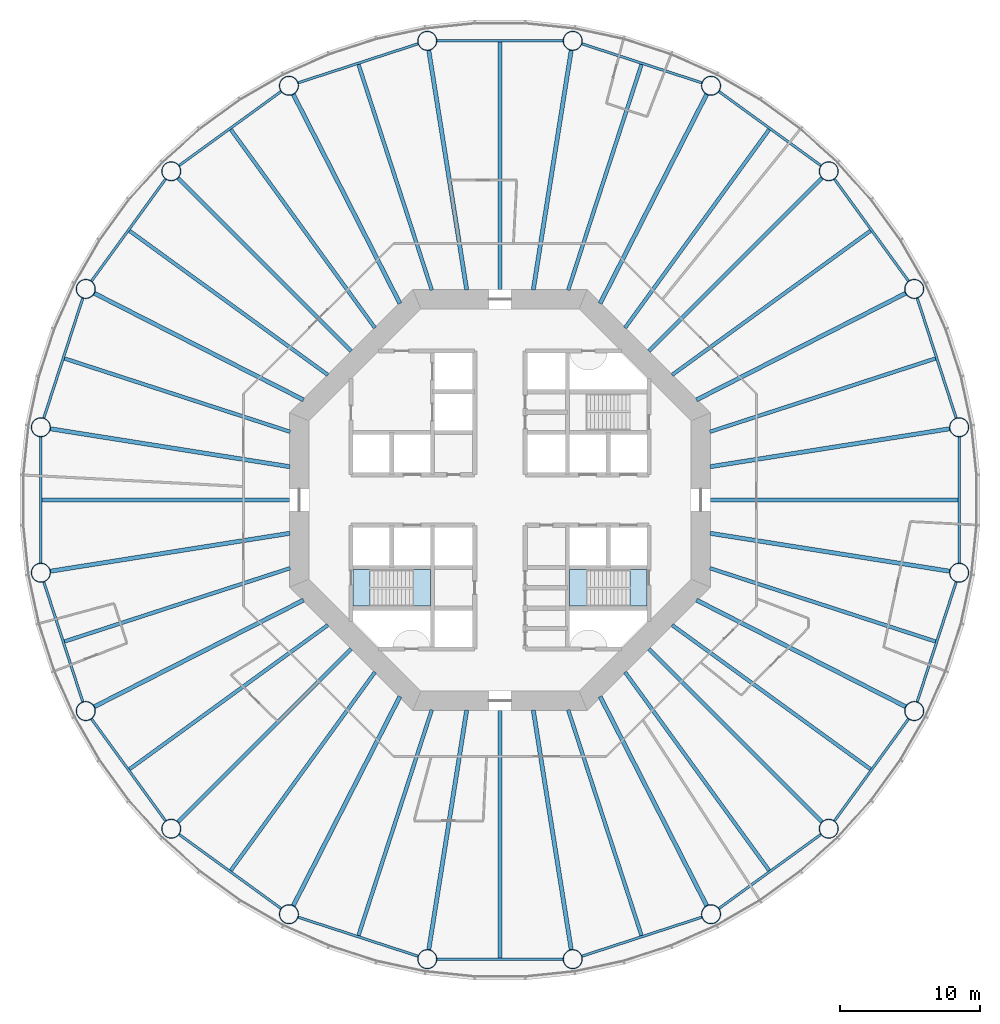
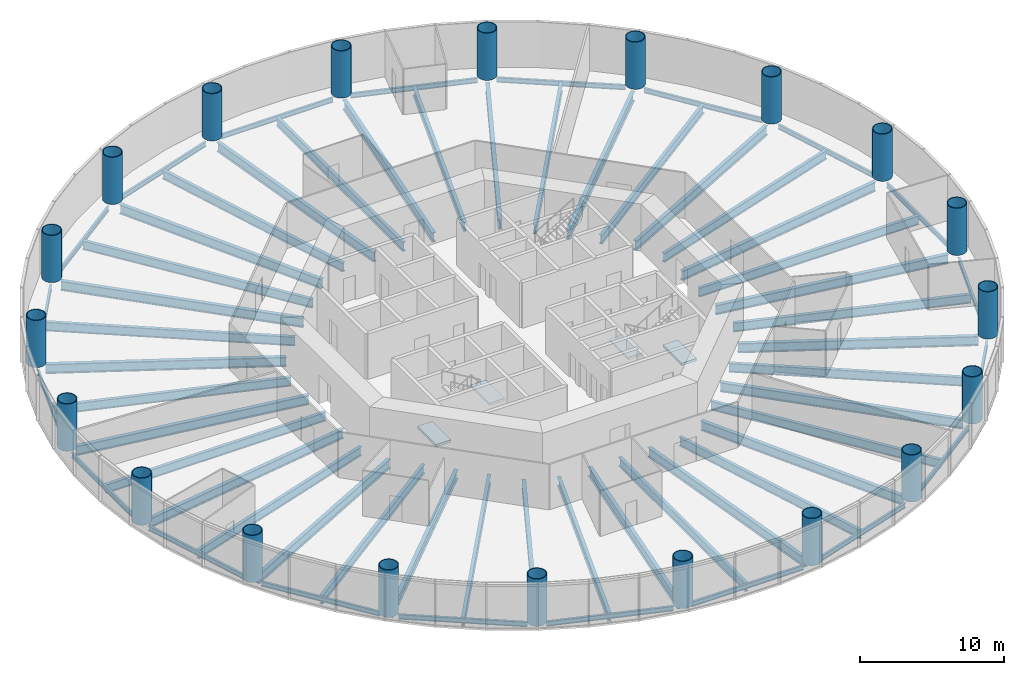
# One storey, part 1 of 13: 60 beams, 20 columns, 4 slabs, 2 elements without a shape of their own.
"""IFC4 building model written with IfcOpenShell, lengths in metres."""

from ifc_helpers import new_model, si_unit, direction, frame, origin, origin_2d, place, context, subcontext, project, spatial, polyline, circle, hollow_circle, i_section, outline, extrude, material, layer, layer_set, material_profile, profile_set, type_object, element, aggregate, save


model = new_model("IFC4")

# Units and contexts
model_context = context("Model", 3, precision=1e-05, world=origin(), true_north=direction((0.0, 1.0)))
body_context = subcontext(model_context, "Body", "Model", "MODEL_VIEW")
ifc_project = project(units=[si_unit("LENGTHUNIT", "METRE"), si_unit("AREAUNIT", "SQUARE_METRE"), si_unit("VOLUMEUNIT", "CUBIC_METRE"), si_unit("PLANEANGLEUNIT", "RADIAN"), si_unit("MASSUNIT", "GRAM", prefix="KILO")], contexts=[model_context])

# Site, building, storey
site_placement = place(None, origin())
site = spatial("IfcSite", under=ifc_project, at=site_placement, CompositionType="ELEMENT")
building_placement = place(site_placement, origin())
building = spatial("IfcBuilding", under=site, at=building_placement, Name="Entoto Ring Tower", CompositionType="ELEMENT")
storey_placement = place(building_placement, frame((0.0, 0.0, 46.0)))
storey = spatial("IfcBuildingStorey", under=building, at=storey_placement, Name="L09", CompositionType="ELEMENT", Elevation=46.0)

# Columns
ifc_material_1 = material(Name="Steel S355", Category="steel")
ifc_material_profile_1 = material_profile(ifc_material_1, hollow_circle(Radius=0.699951171875, WallThickness=0.06005859375, at=origin_2d()), Name="CHS 1400 x 60")
ifc_material_2 = material(Name="Concrete C60/75", Category="concrete")
ifc_material_profile_2 = material_profile(ifc_material_2, circle(Radius=0.639892578125, at=origin_2d()), Name="Concrete C60/75 infill")
ifc_profile_set_1 = profile_set([ifc_material_profile_1, ifc_material_profile_2], Name="Steel S355")
column_type = type_object("IfcColumnType", Name="Ring column 1400 x 60 concrete-filled tube", PredefinedType="COLUMN", material=ifc_profile_set_1)
for number, where, z_axis, x_axis, name in (
    (1, (122.6923828125, 85.177978515625, 0.0), (0.0, 0.0, 1.0), (1.0, 0.0, 0.0), "RC1 R01"),
    (2, (119.492431640625, 95.027099609375, 0.0), (0.0, 0.0, 1.0), (1.0, 0.0, 0.0), "RC1 R02"),
    (3, (113.4052734375, 103.4052734375, 0.0), (0.0, 0.0, 1.0), (1.0, 0.0, 0.0), "RC1 R03"),
    (4, (105.027099609375, 109.492431640625, 0.0), (0.0, 0.0, 1.0), (1.0, 0.0, 0.0), "RC1 R04"),
    (5, (95.177978515625, 112.6923828125, 0.0), (0.0, 0.0, 1.0), (1.0, 0.0, 0.0), "RC1 R05"),
    (6, (84.822021484375, 112.6923828125, 0.0), (0.0, 0.0, 1.0), (1.0, 0.0, 0.0), "RC1 R06"),
    (7, (74.972900390625, 109.492431640625, 0.0), (0.0, 0.0, 1.0), (1.0, 0.0, 0.0), "RC1 R07"),
    (8, (66.5947265625, 103.4052734375, 0.0), (0.0, 0.0, 1.0), (1.0, 0.0, 0.0), "RC1 R08"),
    (9, (60.507568359375, 95.027099609375, 0.0), (0.0, 0.0, 1.0), (1.0, 0.0, 0.0), "RC1 R09"),
    (10, (57.3076171875, 85.177978515625, 0.0), (0.0, 0.0, 1.0), (1.0, 0.0, 0.0), "RC1 R10"),
    (11, (57.3076171875, 74.822021484375, 0.0), (0.0, 0.0, 1.0), (1.0, 0.0, 0.0), "RC1 R11"),
    (12, (60.507568359375, 64.972900390625, 0.0), (0.0, 0.0, 1.0), (1.0, 0.0, 0.0), "RC1 R12"),
    (13, (66.5947265625, 56.5947265625, 0.0), (0.0, 0.0, 1.0), (1.0, 0.0, 0.0), "RC1 R13"),
    (14, (74.972900390625, 50.507568359375, 0.0), (0.0, 0.0, 1.0), (1.0, 0.0, 0.0), "RC1 R14"),
    (15, (84.822021484375, 47.3076171875, 0.0), (0.0, 0.0, 1.0), (1.0, 0.0, 0.0), "RC1 R15"),
    (16, (95.177978515625, 47.3076171875, 0.0), (0.0, 0.0, 1.0), (1.0, 0.0, 0.0), "RC1 R16"),
    (17, (105.027099609375, 50.507568359375, 0.0), (0.0, 0.0, 1.0), (1.0, 0.0, 0.0), "RC1 R17"),
    (18, (113.4052734375, 56.5947265625, 0.0), (0.0, 0.0, 1.0), (1.0, 0.0, 0.0), "RC1 R18"),
    (19, (119.492431640625, 64.972900390625, 0.0), (0.0, 0.0, 1.0), (1.0, 0.0, 0.0), "RC1 R19"),
    (20, (122.6923828125, 74.822021484375, 0.0), (0.0, 0.0, 1.0), (1.0, 0.0, 0.0), "RC1 R20"),
):
    element("IfcColumn", number, at=place(storey_placement, frame(where, z_axis=z_axis, x_axis=x_axis)), inside=storey, type_object=column_type, Name=name, PredefinedType="COLUMN", context=body_context, shape_type="SweptSolid", body=[
        extrude(hollow_circle(Radius=0.699951171875, WallThickness=0.06005859375, at=origin_2d()), origin(), (0.0, 0.0, 1.0), 4.0),
    ])

# Beams
ifc_material_3 = material(Name="Steel S355", Category="steel")
ifc_material_profile_3 = material_profile(ifc_material_3, i_section(OverallWidth=0.179931640625, OverallDepth=0.39990234375, WebThickness=0.008544921875, FlangeThickness=0.013427734375, FilletRadius=0.02099609375, at=origin_2d()), Name="IPE 400")
ifc_profile_set_2 = profile_set([ifc_material_profile_3], Name="Steel S355")
beam_type_1 = type_object("IfcBeamType", Name="Edge beam IPE 400", PredefinedType="SPANDREL", material=ifc_profile_set_2)
for number, where, z_axis, x_axis, name in (
    (21, (122.484130859375, 85.819091796875, -0.35009765625), (-0.309006400295, 0.951059958455, 0.0), (-0.951059958455, -0.309006400295, 0.0), "Edge beam L09 01"),
    (22, (119.09619140625, 95.572509765625, -0.35009765625), (-0.587792917156, 0.80901142547, 0.0), (-0.80901142547, -0.587792917156, 0.0), "Edge beam L09 02"),
    (23, (112.85986328125, 103.801513671875, -0.35009765625), (-0.80901142547, 0.587792917156, 0.0), (-0.587792917156, -0.80901142547, 0.0), "Edge beam L09 03"),
    (24, (104.385986328125, 109.70068359375, -0.35009765625), (-0.951059958455, 0.309006400295, 0.0), (-0.309006400295, -0.951059958455, 0.0), "Edge beam L09 04"),
    (25, (94.50390625, 112.6923828125, -0.35009765625), (-1.0, 0.0, 0.0), (0.0, -1.0, 0.0), "Edge beam L09 05"),
    (26, (84.180908203125, 112.484130859375, -0.35009765625), (-0.951059958455, -0.309006400295, 0.0), (0.309006400295, -0.951059958455, 0.0), "Edge beam L09 06"),
    (27, (74.427490234375, 109.09619140625, -0.35009765625), (-0.80901142547, -0.587792917156, 0.0), (0.587792917156, -0.80901142547, 0.0), "Edge beam L09 07"),
    (28, (66.198486328125, 102.85986328125, -0.35009765625), (-0.587792917156, -0.80901142547, 0.0), (0.80901142547, -0.587792917156, 0.0), "Edge beam L09 08"),
    (29, (60.29931640625, 94.385986328125, -0.35009765625), (-0.309006400295, -0.951059958455, 0.0), (0.951059958455, -0.309006400295, 0.0), "Edge beam L09 09"),
    (30, (57.3076171875, 84.50390625, -0.35009765625), (0.0, -1.0, 0.0), (1.0, 0.0, 0.0), "Edge beam L09 10"),
    (31, (57.515869140625, 74.180908203125, -0.35009765625), (0.309006400295, -0.951059958455, 0.0), (0.951059958455, 0.309006400295, 0.0), "Edge beam L09 11"),
    (32, (60.90380859375, 64.427490234375, -0.35009765625), (0.587792917156, -0.80901142547, 0.0), (0.80901142547, 0.587792917156, 0.0), "Edge beam L09 12"),
    (33, (67.14013671875, 56.198486328125, -0.35009765625), (0.80901142547, -0.587792917156, 0.0), (0.587792917156, 0.80901142547, 0.0), "Edge beam L09 13"),
    (34, (75.614013671875, 50.29931640625, -0.35009765625), (0.951059958455, -0.309006400295, 0.0), (0.309006400295, 0.951059958455, 0.0), "Edge beam L09 14"),
    (35, (85.49609375, 47.3076171875, -0.35009765625), (1.0, 0.0, 0.0), (0.0, 1.0, 0.0), "Edge beam L09 15"),
    (36, (95.819091796875, 47.515869140625, -0.35009765625), (0.951059958455, 0.309006400295, 0.0), (-0.309006400295, 0.951059958455, 0.0), "Edge beam L09 16"),
    (37, (105.572509765625, 50.90380859375, -0.35009765625), (0.80901142547, 0.587792917156, 0.0), (-0.587792917156, 0.80901142547, 0.0), "Edge beam L09 17"),
    (38, (113.801513671875, 57.14013671875, -0.35009765625), (0.587792917156, 0.80901142547, 0.0), (-0.80901142547, 0.587792917156, 0.0), "Edge beam L09 18"),
    (39, (119.70068359375, 65.614013671875, -0.35009765625), (0.309006400295, 0.951059958455, 0.0), (-0.951059958455, 0.309006400295, 0.0), "Edge beam L09 19"),
    (40, (122.6923828125, 75.49609375, -0.35009765625), (0.0, 1.0, 0.0), (-1.0, 0.0, 0.0), "Edge beam L09 20"),
):
    element("IfcBeam", number, at=place(storey_placement, frame(where, z_axis=z_axis, x_axis=x_axis)), inside=storey, type_object=beam_type_1, Name=name, PredefinedType="SPANDREL", context=body_context, shape_type="SweptSolid", body=[
        extrude(i_section(OverallWidth=0.179931640625, OverallDepth=0.39990234375, WebThickness=0.008544921875, FlangeThickness=0.013427734375, FilletRadius=0.02099609375, at=origin_2d()), origin(), (0.0, 0.0, 1.0), 9.0078125),
    ])
ifc_material_4 = material(Name="Steel S355", Category="steel")
ifc_material_profile_4 = material_profile(ifc_material_4, i_section(OverallWidth=0.300048828125, OverallDepth=0.800048828125, WebThickness=0.017578125, FlangeThickness=0.032958984375, FilletRadius=0.030029296875, at=origin_2d()), Name="HE 800 B")
ifc_profile_set_3 = profile_set([ifc_material_profile_4], Name="Steel S355")
beam_type_2 = type_object("IfcBeamType", Name="Primary floor beam HE 800 B", PredefinedType="BEAM", material=ifc_profile_set_3)
beam_1_placement = place(storey_placement, frame((104.956787109375, 82.368896484375, -0.550048828125), z_axis=(0.98768775999, 0.156438130794, 0.0), x_axis=(-0.156438130794, 0.98768775999, 0.0)))
element("IfcBeam", 41, at=beam_1_placement, inside=storey, type_object=beam_type_2, Name="Primary L09 R01", PredefinedType="BEAM", context=body_context, shape_type="SweptSolid", body=[
    extrude(i_section(OverallWidth=0.300048828125, OverallDepth=0.800048828125, WebThickness=0.017578125, FlangeThickness=0.032958984375, FilletRadius=0.030029296875, at=origin_2d()), origin(), (0.0, 0.0, 1.0), 17.293212890625),
])
beam_2_placement = place(storey_placement, frame((103.99169921875, 87.129150390625, -0.550048828125), z_axis=(0.891007761657, 0.453988071063, 0.0), x_axis=(-0.453988071063, 0.891007761657, 0.0)))
element("IfcBeam", 42, at=beam_2_placement, inside=storey, type_object=beam_type_2, Name="Primary L09 R02", PredefinedType="BEAM", context=body_context, shape_type="SweptSolid", body=[
    extrude(i_section(OverallWidth=0.300048828125, OverallDepth=0.800048828125, WebThickness=0.017578125, FlangeThickness=0.032958984375, FilletRadius=0.030029296875, at=origin_2d()), origin(), (0.0, 0.0, 1.0), 16.733154296875),
])
beam_3_placement = place(storey_placement, frame((100.592529296875, 90.592529296875, -0.550048828125), z_axis=(0.707106781187, 0.707106781187, 0.0), x_axis=(-0.707106781187, 0.707106781187, 0.0)))
element("IfcBeam", 43, at=beam_3_placement, inside=storey, type_object=beam_type_2, Name="Primary L09 R03", PredefinedType="BEAM", context=body_context, shape_type="SweptSolid", body=[
    extrude(i_section(OverallWidth=0.300048828125, OverallDepth=0.800048828125, WebThickness=0.017578125, FlangeThickness=0.032958984375, FilletRadius=0.030029296875, at=origin_2d()), origin(), (0.0, 0.0, 1.0), 17.456298828125),
])
beam_4_placement = place(storey_placement, frame((97.129150390625, 93.99169921875, -0.550048828125), z_axis=(0.453988071063, 0.891007761657, 0.0), x_axis=(-0.891007761657, 0.453988071063, 0.0)))
element("IfcBeam", 44, at=beam_4_placement, inside=storey, type_object=beam_type_2, Name="Primary L09 R04", PredefinedType="BEAM", context=body_context, shape_type="SweptSolid", body=[
    extrude(i_section(OverallWidth=0.300048828125, OverallDepth=0.800048828125, WebThickness=0.017578125, FlangeThickness=0.032958984375, FilletRadius=0.030029296875, at=origin_2d()), origin(), (0.0, 0.0, 1.0), 16.733154296875),
])
for number, where, z_axis, x_axis, name in (
    (45, (92.368896484375, 94.956787109375, -0.550048828125), (0.156438130794, 0.98768775999, 0.0), (-0.98768775999, 0.156438130794, 0.0), "Primary L09 R05"),
    (46, (87.631103515625, 94.956787109375, -0.550048828125), (-0.156438130794, 0.98768775999, 0.0), (-0.98768775999, -0.156438130794, 0.0), "Primary L09 R06"),
):
    element("IfcBeam", number, at=place(storey_placement, frame(where, z_axis=z_axis, x_axis=x_axis)), inside=storey, type_object=beam_type_2, Name=name, PredefinedType="BEAM", context=body_context, shape_type="SweptSolid", body=[
        extrude(i_section(OverallWidth=0.300048828125, OverallDepth=0.800048828125, WebThickness=0.017578125, FlangeThickness=0.032958984375, FilletRadius=0.030029296875, at=origin_2d()), origin(), (0.0, 0.0, 1.0), 17.293212890625),
    ])
beam_5_placement = place(storey_placement, frame((82.870849609375, 93.99169921875, -0.550048828125), z_axis=(-0.453988071063, 0.891007761657, 0.0), x_axis=(-0.891007761657, -0.453988071063, 0.0)))
element("IfcBeam", 47, at=beam_5_placement, inside=storey, type_object=beam_type_2, Name="Primary L09 R07", PredefinedType="BEAM", context=body_context, shape_type="SweptSolid", body=[
    extrude(i_section(OverallWidth=0.300048828125, OverallDepth=0.800048828125, WebThickness=0.017578125, FlangeThickness=0.032958984375, FilletRadius=0.030029296875, at=origin_2d()), origin(), (0.0, 0.0, 1.0), 16.733154296875),
])
beam_6_placement = place(storey_placement, frame((79.407470703125, 90.592529296875, -0.550048828125), z_axis=(-0.707106781187, 0.707106781187, 0.0), x_axis=(-0.707106781187, -0.707106781187, 0.0)))
element("IfcBeam", 48, at=beam_6_placement, inside=storey, type_object=beam_type_2, Name="Primary L09 R08", PredefinedType="BEAM", context=body_context, shape_type="SweptSolid", body=[
    extrude(i_section(OverallWidth=0.300048828125, OverallDepth=0.800048828125, WebThickness=0.017578125, FlangeThickness=0.032958984375, FilletRadius=0.030029296875, at=origin_2d()), origin(), (0.0, 0.0, 1.0), 17.456298828125),
])
beam_7_placement = place(storey_placement, frame((76.00830078125, 87.129150390625, -0.550048828125), z_axis=(-0.891007761657, 0.453988071063, 0.0), x_axis=(-0.453988071063, -0.891007761657, 0.0)))
element("IfcBeam", 49, at=beam_7_placement, inside=storey, type_object=beam_type_2, Name="Primary L09 R09", PredefinedType="BEAM", context=body_context, shape_type="SweptSolid", body=[
    extrude(i_section(OverallWidth=0.300048828125, OverallDepth=0.800048828125, WebThickness=0.017578125, FlangeThickness=0.032958984375, FilletRadius=0.030029296875, at=origin_2d()), origin(), (0.0, 0.0, 1.0), 16.733154296875),
])
for number, where, z_axis, x_axis, name in (
    (50, (75.043212890625, 82.368896484375, -0.550048828125), (-0.98768775999, 0.156438130794, 0.0), (-0.156438130794, -0.98768775999, 0.0), "Primary L09 R10"),
    (51, (75.043212890625, 77.631103515625, -0.550048828125), (-0.98768775999, -0.156438130794, 0.0), (0.156438130794, -0.98768775999, 0.0), "Primary L09 R11"),
):
    element("IfcBeam", number, at=place(storey_placement, frame(where, z_axis=z_axis, x_axis=x_axis)), inside=storey, type_object=beam_type_2, Name=name, PredefinedType="BEAM", context=body_context, shape_type="SweptSolid", body=[
        extrude(i_section(OverallWidth=0.300048828125, OverallDepth=0.800048828125, WebThickness=0.017578125, FlangeThickness=0.032958984375, FilletRadius=0.030029296875, at=origin_2d()), origin(), (0.0, 0.0, 1.0), 17.293212890625),
    ])
beam_8_placement = place(storey_placement, frame((76.00830078125, 72.870849609375, -0.550048828125), z_axis=(-0.891007761657, -0.453988071063, 0.0), x_axis=(0.453988071063, -0.891007761657, 0.0)))
element("IfcBeam", 52, at=beam_8_placement, inside=storey, type_object=beam_type_2, Name="Primary L09 R12", PredefinedType="BEAM", context=body_context, shape_type="SweptSolid", body=[
    extrude(i_section(OverallWidth=0.300048828125, OverallDepth=0.800048828125, WebThickness=0.017578125, FlangeThickness=0.032958984375, FilletRadius=0.030029296875, at=origin_2d()), origin(), (0.0, 0.0, 1.0), 16.733154296875),
])
beam_9_placement = place(storey_placement, frame((79.407470703125, 69.407470703125, -0.550048828125), z_axis=(-0.707106781187, -0.707106781187, 0.0), x_axis=(0.707106781187, -0.707106781187, 0.0)))
element("IfcBeam", 53, at=beam_9_placement, inside=storey, type_object=beam_type_2, Name="Primary L09 R13", PredefinedType="BEAM", context=body_context, shape_type="SweptSolid", body=[
    extrude(i_section(OverallWidth=0.300048828125, OverallDepth=0.800048828125, WebThickness=0.017578125, FlangeThickness=0.032958984375, FilletRadius=0.030029296875, at=origin_2d()), origin(), (0.0, 0.0, 1.0), 17.456298828125),
])
beam_10_placement = place(storey_placement, frame((82.870849609375, 66.00830078125, -0.550048828125), z_axis=(-0.453988071063, -0.891007761657, 0.0), x_axis=(0.891007761657, -0.453988071063, 0.0)))
element("IfcBeam", 54, at=beam_10_placement, inside=storey, type_object=beam_type_2, Name="Primary L09 R14", PredefinedType="BEAM", context=body_context, shape_type="SweptSolid", body=[
    extrude(i_section(OverallWidth=0.300048828125, OverallDepth=0.800048828125, WebThickness=0.017578125, FlangeThickness=0.032958984375, FilletRadius=0.030029296875, at=origin_2d()), origin(), (0.0, 0.0, 1.0), 16.733154296875),
])
for number, where, z_axis, x_axis, name in (
    (55, (87.631103515625, 65.043212890625, -0.550048828125), (-0.156438130794, -0.98768775999, 0.0), (0.98768775999, -0.156438130794, 0.0), "Primary L09 R15"),
    (56, (92.368896484375, 65.043212890625, -0.550048828125), (0.156438130794, -0.98768775999, 0.0), (0.98768775999, 0.156438130794, 0.0), "Primary L09 R16"),
):
    element("IfcBeam", number, at=place(storey_placement, frame(where, z_axis=z_axis, x_axis=x_axis)), inside=storey, type_object=beam_type_2, Name=name, PredefinedType="BEAM", context=body_context, shape_type="SweptSolid", body=[
        extrude(i_section(OverallWidth=0.300048828125, OverallDepth=0.800048828125, WebThickness=0.017578125, FlangeThickness=0.032958984375, FilletRadius=0.030029296875, at=origin_2d()), origin(), (0.0, 0.0, 1.0), 17.293212890625),
    ])
beam_11_placement = place(storey_placement, frame((97.129150390625, 66.00830078125, -0.550048828125), z_axis=(0.453988071063, -0.891007761657, 0.0), x_axis=(0.891007761657, 0.453988071063, 0.0)))
element("IfcBeam", 57, at=beam_11_placement, inside=storey, type_object=beam_type_2, Name="Primary L09 R17", PredefinedType="BEAM", context=body_context, shape_type="SweptSolid", body=[
    extrude(i_section(OverallWidth=0.300048828125, OverallDepth=0.800048828125, WebThickness=0.017578125, FlangeThickness=0.032958984375, FilletRadius=0.030029296875, at=origin_2d()), origin(), (0.0, 0.0, 1.0), 16.733154296875),
])
beam_12_placement = place(storey_placement, frame((100.592529296875, 69.407470703125, -0.550048828125), z_axis=(0.707106781187, -0.707106781187, 0.0), x_axis=(0.707106781187, 0.707106781187, 0.0)))
element("IfcBeam", 58, at=beam_12_placement, inside=storey, type_object=beam_type_2, Name="Primary L09 R18", PredefinedType="BEAM", context=body_context, shape_type="SweptSolid", body=[
    extrude(i_section(OverallWidth=0.300048828125, OverallDepth=0.800048828125, WebThickness=0.017578125, FlangeThickness=0.032958984375, FilletRadius=0.030029296875, at=origin_2d()), origin(), (0.0, 0.0, 1.0), 17.456298828125),
])
beam_13_placement = place(storey_placement, frame((103.99169921875, 72.870849609375, -0.550048828125), z_axis=(0.891007761657, -0.453988071063, 0.0), x_axis=(0.453988071063, 0.891007761657, 0.0)))
element("IfcBeam", 59, at=beam_13_placement, inside=storey, type_object=beam_type_2, Name="Primary L09 R19", PredefinedType="BEAM", context=body_context, shape_type="SweptSolid", body=[
    extrude(i_section(OverallWidth=0.300048828125, OverallDepth=0.800048828125, WebThickness=0.017578125, FlangeThickness=0.032958984375, FilletRadius=0.030029296875, at=origin_2d()), origin(), (0.0, 0.0, 1.0), 16.733154296875),
])
beam_14_placement = place(storey_placement, frame((104.956787109375, 77.631103515625, -0.550048828125), z_axis=(0.98768775999, -0.156438130794, 0.0), x_axis=(0.156438130794, 0.98768775999, 0.0)))
element("IfcBeam", 60, at=beam_14_placement, inside=storey, type_object=beam_type_2, Name="Primary L09 R20", PredefinedType="BEAM", context=body_context, shape_type="SweptSolid", body=[
    extrude(i_section(OverallWidth=0.300048828125, OverallDepth=0.800048828125, WebThickness=0.017578125, FlangeThickness=0.032958984375, FilletRadius=0.030029296875, at=origin_2d()), origin(), (0.0, 0.0, 1.0), 17.293212890625),
])
ifc_material_5 = material(Name="Steel S355", Category="steel")
ifc_material_profile_5 = material_profile(ifc_material_5, i_section(OverallWidth=0.262939453125, OverallDepth=0.7529296875, WebThickness=0.011474609375, FlangeThickness=0.01708984375, FilletRadius=0.01708984375, at=origin_2d()), Name="IPE 750 x 137")
ifc_profile_set_4 = profile_set([ifc_material_profile_5], Name="Steel S355")
beam_type_3 = type_object("IfcBeamType", Name="Secondary floor beam IPE 750 x 137", PredefinedType="JOIST", material=ifc_profile_set_4)
beam_15_placement = place(storey_placement, frame((104.9404296875, 84.8544921875, -0.526611328125), z_axis=(0.951057855768, 0.30901287187, 0.0), x_axis=(-0.30901287187, 0.951057855768, 0.0)))
element("IfcBeam", 61, at=beam_15_placement, inside=storey, type_object=beam_type_3, Name="Secondary beam L09 01", PredefinedType="JOIST", context=body_context, shape_type="SweptSolid", body=[
    extrude(i_section(OverallWidth=0.262939453125, OverallDepth=0.7529296875, WebThickness=0.011474609375, FlangeThickness=0.01708984375, FilletRadius=0.01708984375, at=origin_2d()), origin(), (0.0, 0.0, 1.0), 16.893310546875),
])
for number, where, z_axis, x_axis, name in (
    (62, (102.25341796875, 88.902587890625, -0.526611328125), (0.809014194973, 0.58778910532, 0.0), (-0.58778910532, 0.809014194973, 0.0), "Secondary beam L09 02"),
    (63, (98.902587890625, 92.25341796875, -0.526611328125), (0.58778910532, 0.809014194973, 0.0), (-0.809014194973, 0.58778910532, 0.0), "Secondary beam L09 03"),
):
    element("IfcBeam", number, at=place(storey_placement, frame(where, z_axis=z_axis, x_axis=x_axis)), inside=storey, type_object=beam_type_3, Name=name, PredefinedType="JOIST", context=body_context, shape_type="SweptSolid", body=[
        extrude(i_section(OverallWidth=0.262939453125, OverallDepth=0.7529296875, WebThickness=0.011474609375, FlangeThickness=0.01708984375, FilletRadius=0.01708984375, at=origin_2d()), origin(), (0.0, 0.0, 1.0), 17.45654296875),
    ])
beam_16_placement = place(storey_placement, frame((94.8544921875, 94.9404296875, -0.526611328125), z_axis=(0.30901287187, 0.951057855768, 0.0), x_axis=(-0.951057855768, 0.30901287187, 0.0)))
element("IfcBeam", 64, at=beam_16_placement, inside=storey, type_object=beam_type_3, Name="Secondary beam L09 04", PredefinedType="JOIST", context=body_context, shape_type="SweptSolid", body=[
    extrude(i_section(OverallWidth=0.262939453125, OverallDepth=0.7529296875, WebThickness=0.011474609375, FlangeThickness=0.01708984375, FilletRadius=0.01708984375, at=origin_2d()), origin(), (0.0, 0.0, 1.0), 16.893310546875),
])
beam_17_placement = place(storey_placement, frame((90.0, 94.97998046875, -0.526611328125), z_axis=(0.0, 1.0, 0.0), x_axis=(-1.0, 0.0, 0.0)))
element("IfcBeam", 65, at=beam_17_placement, inside=storey, type_object=beam_type_3, Name="Secondary beam L09 05", PredefinedType="JOIST", context=body_context, shape_type="SweptSolid", body=[
    extrude(i_section(OverallWidth=0.262939453125, OverallDepth=0.7529296875, WebThickness=0.011474609375, FlangeThickness=0.01708984375, FilletRadius=0.01708984375, at=origin_2d()), origin(), (0.0, 0.0, 1.0), 17.62255859375),
])
beam_18_placement = place(storey_placement, frame((85.1455078125, 94.9404296875, -0.526611328125), z_axis=(-0.30901287187, 0.951057855768, 0.0), x_axis=(-0.951057855768, -0.30901287187, 0.0)))
element("IfcBeam", 66, at=beam_18_placement, inside=storey, type_object=beam_type_3, Name="Secondary beam L09 06", PredefinedType="JOIST", context=body_context, shape_type="SweptSolid", body=[
    extrude(i_section(OverallWidth=0.262939453125, OverallDepth=0.7529296875, WebThickness=0.011474609375, FlangeThickness=0.01708984375, FilletRadius=0.01708984375, at=origin_2d()), origin(), (0.0, 0.0, 1.0), 16.893310546875),
])
for number, where, z_axis, x_axis, name in (
    (67, (81.097412109375, 92.25341796875, -0.526611328125), (-0.58778910532, 0.809014194973, 0.0), (-0.809014194973, -0.58778910532, 0.0), "Secondary beam L09 07"),
    (68, (77.74658203125, 88.902587890625, -0.526611328125), (-0.809014194973, 0.58778910532, 0.0), (-0.58778910532, -0.809014194973, 0.0), "Secondary beam L09 08"),
):
    element("IfcBeam", number, at=place(storey_placement, frame(where, z_axis=z_axis, x_axis=x_axis)), inside=storey, type_object=beam_type_3, Name=name, PredefinedType="JOIST", context=body_context, shape_type="SweptSolid", body=[
        extrude(i_section(OverallWidth=0.262939453125, OverallDepth=0.7529296875, WebThickness=0.011474609375, FlangeThickness=0.01708984375, FilletRadius=0.01708984375, at=origin_2d()), origin(), (0.0, 0.0, 1.0), 17.45654296875),
    ])
beam_19_placement = place(storey_placement, frame((75.0595703125, 84.8544921875, -0.526611328125), z_axis=(-0.951057855768, 0.30901287187, 0.0), x_axis=(-0.30901287187, -0.951057855768, 0.0)))
element("IfcBeam", 69, at=beam_19_placement, inside=storey, type_object=beam_type_3, Name="Secondary beam L09 09", PredefinedType="JOIST", context=body_context, shape_type="SweptSolid", body=[
    extrude(i_section(OverallWidth=0.262939453125, OverallDepth=0.7529296875, WebThickness=0.011474609375, FlangeThickness=0.01708984375, FilletRadius=0.01708984375, at=origin_2d()), origin(), (0.0, 0.0, 1.0), 16.893310546875),
])
beam_20_placement = place(storey_placement, frame((75.02001953125, 80.0, -0.526611328125), z_axis=(-1.0, 0.0, 0.0), x_axis=(0.0, -1.0, 0.0)))
element("IfcBeam", 70, at=beam_20_placement, inside=storey, type_object=beam_type_3, Name="Secondary beam L09 10", PredefinedType="JOIST", context=body_context, shape_type="SweptSolid", body=[
    extrude(i_section(OverallWidth=0.262939453125, OverallDepth=0.7529296875, WebThickness=0.011474609375, FlangeThickness=0.01708984375, FilletRadius=0.01708984375, at=origin_2d()), origin(), (0.0, 0.0, 1.0), 17.62255859375),
])
beam_21_placement = place(storey_placement, frame((75.0595703125, 75.1455078125, -0.526611328125), z_axis=(-0.951057855768, -0.30901287187, 0.0), x_axis=(0.30901287187, -0.951057855768, 0.0)))
element("IfcBeam", 71, at=beam_21_placement, inside=storey, type_object=beam_type_3, Name="Secondary beam L09 11", PredefinedType="JOIST", context=body_context, shape_type="SweptSolid", body=[
    extrude(i_section(OverallWidth=0.262939453125, OverallDepth=0.7529296875, WebThickness=0.011474609375, FlangeThickness=0.01708984375, FilletRadius=0.01708984375, at=origin_2d()), origin(), (0.0, 0.0, 1.0), 16.893310546875),
])
for number, where, z_axis, x_axis, name in (
    (72, (77.74658203125, 71.097412109375, -0.526611328125), (-0.809014194973, -0.58778910532, 0.0), (0.58778910532, -0.809014194973, 0.0), "Secondary beam L09 12"),
    (73, (81.097412109375, 67.74658203125, -0.526611328125), (-0.58778910532, -0.809014194973, 0.0), (0.809014194973, -0.58778910532, 0.0), "Secondary beam L09 13"),
):
    element("IfcBeam", number, at=place(storey_placement, frame(where, z_axis=z_axis, x_axis=x_axis)), inside=storey, type_object=beam_type_3, Name=name, PredefinedType="JOIST", context=body_context, shape_type="SweptSolid", body=[
        extrude(i_section(OverallWidth=0.262939453125, OverallDepth=0.7529296875, WebThickness=0.011474609375, FlangeThickness=0.01708984375, FilletRadius=0.01708984375, at=origin_2d()), origin(), (0.0, 0.0, 1.0), 17.45654296875),
    ])
beam_22_placement = place(storey_placement, frame((85.1455078125, 65.0595703125, -0.526611328125), z_axis=(-0.30901287187, -0.951057855768, 0.0), x_axis=(0.951057855768, -0.30901287187, 0.0)))
element("IfcBeam", 74, at=beam_22_placement, inside=storey, type_object=beam_type_3, Name="Secondary beam L09 14", PredefinedType="JOIST", context=body_context, shape_type="SweptSolid", body=[
    extrude(i_section(OverallWidth=0.262939453125, OverallDepth=0.7529296875, WebThickness=0.011474609375, FlangeThickness=0.01708984375, FilletRadius=0.01708984375, at=origin_2d()), origin(), (0.0, 0.0, 1.0), 16.893310546875),
])
beam_23_placement = place(storey_placement, frame((90.0, 65.02001953125, -0.526611328125), z_axis=(0.0, -1.0, 0.0), x_axis=(1.0, 0.0, 0.0)))
element("IfcBeam", 75, at=beam_23_placement, inside=storey, type_object=beam_type_3, Name="Secondary beam L09 15", PredefinedType="JOIST", context=body_context, shape_type="SweptSolid", body=[
    extrude(i_section(OverallWidth=0.262939453125, OverallDepth=0.7529296875, WebThickness=0.011474609375, FlangeThickness=0.01708984375, FilletRadius=0.01708984375, at=origin_2d()), origin(), (0.0, 0.0, 1.0), 17.62255859375),
])
beam_24_placement = place(storey_placement, frame((94.8544921875, 65.0595703125, -0.526611328125), z_axis=(0.30901287187, -0.951057855768, 0.0), x_axis=(0.951057855768, 0.30901287187, 0.0)))
element("IfcBeam", 76, at=beam_24_placement, inside=storey, type_object=beam_type_3, Name="Secondary beam L09 16", PredefinedType="JOIST", context=body_context, shape_type="SweptSolid", body=[
    extrude(i_section(OverallWidth=0.262939453125, OverallDepth=0.7529296875, WebThickness=0.011474609375, FlangeThickness=0.01708984375, FilletRadius=0.01708984375, at=origin_2d()), origin(), (0.0, 0.0, 1.0), 16.893310546875),
])
for number, where, z_axis, x_axis, name in (
    (77, (98.902587890625, 67.74658203125, -0.526611328125), (0.58778910532, -0.809014194973, 0.0), (0.809014194973, 0.58778910532, 0.0), "Secondary beam L09 17"),
    (78, (102.25341796875, 71.097412109375, -0.526611328125), (0.809014194973, -0.58778910532, 0.0), (0.58778910532, 0.809014194973, 0.0), "Secondary beam L09 18"),
):
    element("IfcBeam", number, at=place(storey_placement, frame(where, z_axis=z_axis, x_axis=x_axis)), inside=storey, type_object=beam_type_3, Name=name, PredefinedType="JOIST", context=body_context, shape_type="SweptSolid", body=[
        extrude(i_section(OverallWidth=0.262939453125, OverallDepth=0.7529296875, WebThickness=0.011474609375, FlangeThickness=0.01708984375, FilletRadius=0.01708984375, at=origin_2d()), origin(), (0.0, 0.0, 1.0), 17.45654296875),
    ])
beam_25_placement = place(storey_placement, frame((104.9404296875, 75.1455078125, -0.526611328125), z_axis=(0.951057855768, -0.30901287187, 0.0), x_axis=(0.30901287187, 0.951057855768, 0.0)))
element("IfcBeam", 79, at=beam_25_placement, inside=storey, type_object=beam_type_3, Name="Secondary beam L09 19", PredefinedType="JOIST", context=body_context, shape_type="SweptSolid", body=[
    extrude(i_section(OverallWidth=0.262939453125, OverallDepth=0.7529296875, WebThickness=0.011474609375, FlangeThickness=0.01708984375, FilletRadius=0.01708984375, at=origin_2d()), origin(), (0.0, 0.0, 1.0), 16.893310546875),
])
beam_26_placement = place(storey_placement, frame((104.97998046875, 80.0, -0.526611328125), z_axis=(1.0, 0.0, 0.0), x_axis=(0.0, 1.0, 0.0)))
element("IfcBeam", 80, at=beam_26_placement, inside=storey, type_object=beam_type_3, Name="Secondary beam L09 20", PredefinedType="JOIST", context=body_context, shape_type="SweptSolid", body=[
    extrude(i_section(OverallWidth=0.262939453125, OverallDepth=0.7529296875, WebThickness=0.011474609375, FlangeThickness=0.01708984375, FilletRadius=0.01708984375, at=origin_2d()), origin(), (0.0, 0.0, 1.0), 17.62255859375),
])

# Stair, slabs
ifc_material_6 = material(Name="Concrete C40/50", Category="concrete")
stair_type = type_object("IfcStairType", Name="Exit stair 1200 mm dog-leg reinforced concrete", PredefinedType="HALF_TURN_STAIR", material=ifc_material_6)
stair_1_placement = place(storey_placement, origin())
stair_1 = element("IfcStair", 81, at=stair_1_placement, inside=storey, type_object=stair_type, Name="Exit stair 2", PredefinedType="HALF_TURN_STAIR")
ifc_material_7 = material(Name="Concrete C40/50", Category="concrete")
ifc_layer = layer(ifc_material_7, 0.199951171875)
ifc_layer_set = layer_set([ifc_layer], Name="Concrete C40/50")
slab_type = type_object("IfcSlabType", Name="Stair landing 200 mm reinforced concrete", PredefinedType="LANDING", material=ifc_layer_set)
slab_1_placement = place(storey_placement, frame((0.0, 0.0, -0.199951171875)))
slab_1 = element("IfcSlab", 82, at=slab_1_placement, type_object=slab_type, Name="ST2 landing 1", PredefinedType="LANDING", context=body_context, shape_type="SweptSolid", body=[
    extrude(outline(polyline([(80.75, 72.449951171875), (80.75, 75.050048828125), (79.550048828125, 75.050048828125), (79.550048828125, 72.449951171875), (80.75, 72.449951171875)])), origin(), (0.0, 0.0, 1.0), 0.199951171875),
])
slab_2_placement = place(storey_placement, frame((0.0, 0.0, 1.800048828125)))
slab_2 = element("IfcSlab", 83, at=slab_2_placement, type_object=slab_type, Name="ST2 landing 2", PredefinedType="LANDING", context=body_context, shape_type="SweptSolid", body=[
    extrude(outline(polyline([(83.830078125, 72.449951171875), (85.050048828125, 72.449951171875), (85.050048828125, 75.050048828125), (83.830078125, 75.050048828125), (83.830078125, 72.449951171875)])), origin(), (0.0, 0.0, 1.0), 0.199951171875),
])
aggregate(stair_1, [slab_1, slab_2])

stair_2_placement = place(storey_placement, origin())
stair_2 = element("IfcStair", 84, at=stair_2_placement, inside=storey, type_object=stair_type, Name="Exit stair 3", PredefinedType="HALF_TURN_STAIR")
slab_3_placement = place(storey_placement, frame((0.0, 0.0, -0.199951171875)))
slab_3 = element("IfcSlab", 85, at=slab_3_placement, type_object=slab_type, Name="ST3 landing 1", PredefinedType="LANDING", context=body_context, shape_type="SweptSolid", body=[
    extrude(outline(polyline([(100.449951171875, 72.449951171875), (100.449951171875, 75.050048828125), (99.25, 75.050048828125), (99.25, 72.449951171875), (100.449951171875, 72.449951171875)])), origin(), (0.0, 0.0, 1.0), 0.199951171875),
])
slab_4_placement = place(storey_placement, frame((0.0, 0.0, 1.800048828125)))
slab_4 = element("IfcSlab", 86, at=slab_4_placement, type_object=slab_type, Name="ST3 landing 2", PredefinedType="LANDING", context=body_context, shape_type="SweptSolid", body=[
    extrude(outline(polyline([(94.949951171875, 72.449951171875), (96.169921875, 72.449951171875), (96.169921875, 75.050048828125), (94.949951171875, 75.050048828125), (94.949951171875, 72.449951171875)])), origin(), (0.0, 0.0, 1.0), 0.199951171875),
])
aggregate(stair_2, [slab_3, slab_4])

save(model, "model.ifc")
